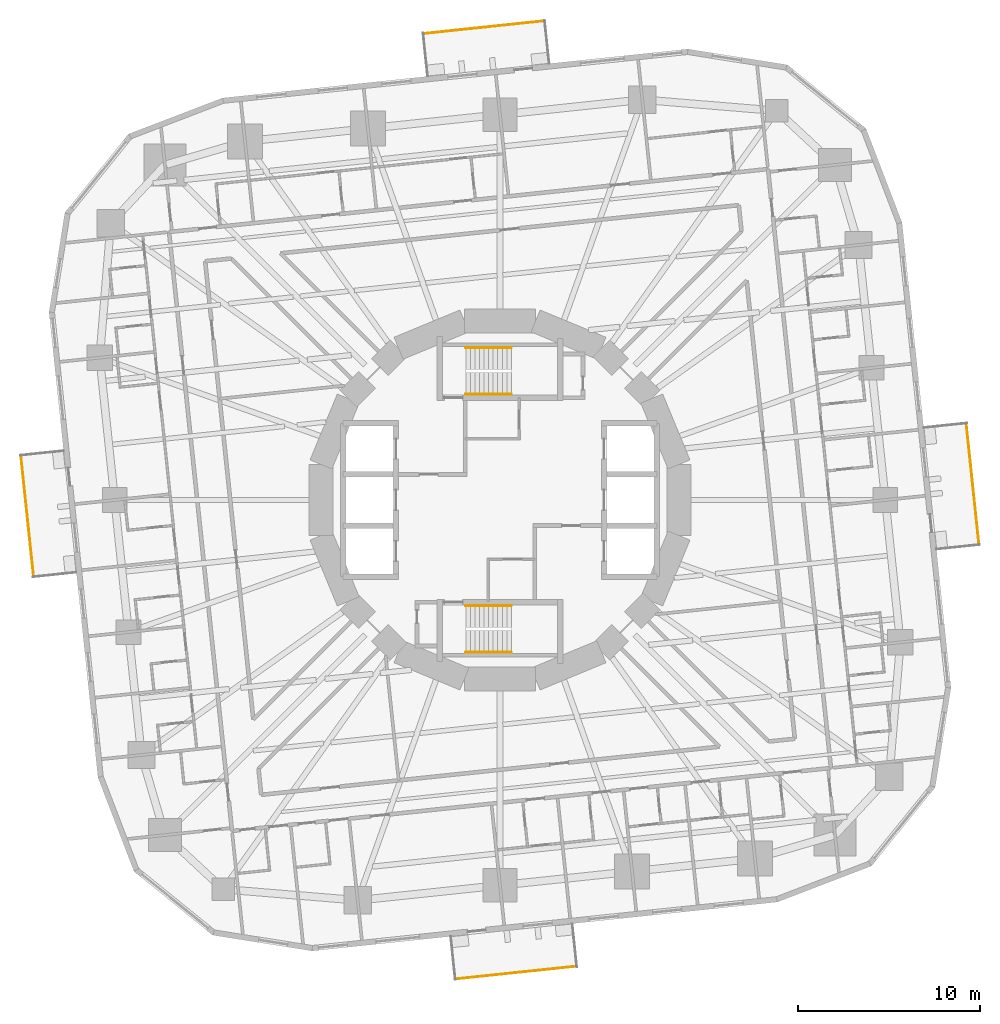
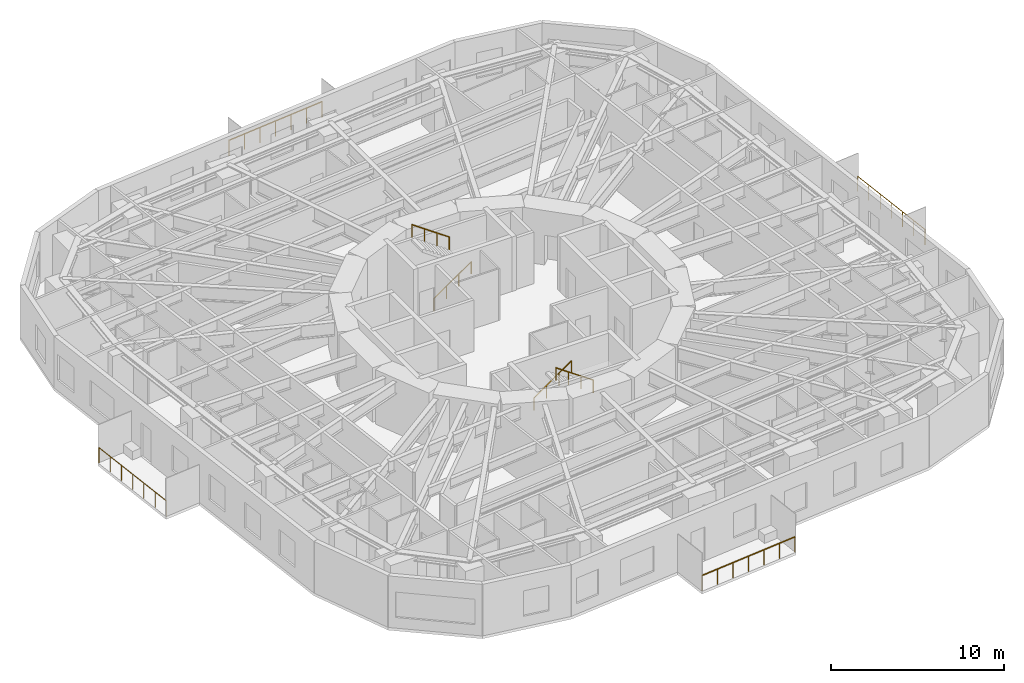
# One storey, part 12 of 13: 8 railings.
"""IFC4 building model written with IfcOpenShell, lengths in metres."""

from ifc_helpers import new_model, si_unit, direction, frame, origin, origin_2d, place, context, subcontext, project, spatial, circle, extrude, material, type_object, element, save


model = new_model("IFC4")

# Units and contexts
model_context = context("Model", 3, precision=1e-05, world=origin(), true_north=direction((0.0, 1.0)))
body_context = subcontext(model_context, "Body", "Model", "MODEL_VIEW")
ifc_project = project(units=[si_unit("LENGTHUNIT", "METRE"), si_unit("AREAUNIT", "SQUARE_METRE"), si_unit("VOLUMEUNIT", "CUBIC_METRE"), si_unit("PLANEANGLEUNIT", "RADIAN"), si_unit("MASSUNIT", "GRAM", prefix="KILO")], contexts=[model_context])

# Site, building, storey
site_placement = place(None, origin())
site = spatial("IfcSite", under=ifc_project, at=site_placement, CompositionType="ELEMENT")
building_placement = place(site_placement, origin())
building = spatial("IfcBuilding", under=site, at=building_placement, Name="Nakasero Lantern House", CompositionType="ELEMENT")
storey_placement = place(building_placement, frame((0.0, 0.0, 91.300048828125)))
storey = spatial("IfcBuildingStorey", under=building, at=storey_placement, Name="L22", CompositionType="ELEMENT", Elevation=91.300048828125)

# Railings
ifc_material_1 = material(Name="Aluminium 6063-T6", Category="aluminium")
railing_type_1 = type_object("IfcRailingType", Name="Balcony guard 1100", PredefinedType="BALUSTRADE", material=ifc_material_1)
railing_1_placement = place(storey_placement, frame((26.247802734375, -2.4296875, 0.0)))
element("IfcRailing", 1, at=railing_1_placement, inside=storey, type_object=railing_type_1, Name="Balcony guard L22 BAL0", PredefinedType="BALUSTRADE", context=body_context, shape_type="SweptSolid", body=[
    extrude(circle(Radius=0.02392578125, at=origin_2d()), frame((0.0, 0.0, 1.076171875), z_axis=(-0.104541525597, 0.994520522375, 0.0), x_axis=(-0.994520522375, -0.104541525597, 0.0)), (0.0, 0.0, 1.0), 6.6533203125),
    extrude(circle(Radius=0.02099609375, at=origin_2d()), origin(), (0.0, 0.0, 1.0), 1.052001953125),
    extrude(circle(Radius=0.02099609375, at=origin_2d()), frame((-0.115966796875, 1.102783203125, 0.0)), (0.0, 0.0, 1.0), 1.052001953125),
    extrude(circle(Radius=0.02099609375, at=origin_2d()), frame((-0.23193359375, 2.20556640625, 0.0)), (0.0, 0.0, 1.0), 1.052001953125),
    extrude(circle(Radius=0.02099609375, at=origin_2d()), frame((-0.34765625, 3.30859375, 0.0)), (0.0, 0.0, 1.0), 1.052001953125),
    extrude(circle(Radius=0.02099609375, at=origin_2d()), frame((-0.463623046875, 4.411376953125, 0.0)), (0.0, 0.0, 1.0), 1.052001953125),
    extrude(circle(Radius=0.02099609375, at=origin_2d()), frame((-0.57958984375, 5.51416015625, 0.0)), (0.0, 0.0, 1.0), 1.052001953125),
    extrude(circle(Radius=0.02099609375, at=origin_2d()), frame((-0.695556640625, 6.616943359375, 0.0)), (0.0, 0.0, 1.0), 1.052001953125),
])
railing_2_placement = place(storey_placement, frame((2.4296875, 26.247802734375, 0.0)))
element("IfcRailing", 2, at=railing_2_placement, inside=storey, type_object=railing_type_1, Name="Balcony guard L22 BAL1", PredefinedType="BALUSTRADE", context=body_context, shape_type="SweptSolid", body=[
    extrude(circle(Radius=0.02392578125, at=origin_2d()), frame((0.0, 0.0, 1.076171875), z_axis=(-0.994520522375, -0.104541525597, 0.0), x_axis=(0.104541525597, -0.994520522375, 0.0)), (0.0, 0.0, 1.0), 6.6533203125),
    extrude(circle(Radius=0.02099609375, at=origin_2d()), origin(), (0.0, 0.0, 1.0), 1.052001953125),
    extrude(circle(Radius=0.02099609375, at=origin_2d()), frame((-1.102783203125, -0.115966796875, 0.0)), (0.0, 0.0, 1.0), 1.052001953125),
    extrude(circle(Radius=0.02099609375, at=origin_2d()), frame((-2.20556640625, -0.23193359375, 0.0)), (0.0, 0.0, 1.0), 1.052001953125),
    extrude(circle(Radius=0.02099609375, at=origin_2d()), frame((-3.30859375, -0.34765625, 0.0)), (0.0, 0.0, 1.0), 1.052001953125),
    extrude(circle(Radius=0.02099609375, at=origin_2d()), frame((-4.411376953125, -0.463623046875, 0.0)), (0.0, 0.0, 1.0), 1.052001953125),
    extrude(circle(Radius=0.02099609375, at=origin_2d()), frame((-5.51416015625, -0.57958984375, 0.0)), (0.0, 0.0, 1.0), 1.052001953125),
    extrude(circle(Radius=0.02099609375, at=origin_2d()), frame((-6.616943359375, -0.695556640625, 0.0)), (0.0, 0.0, 1.0), 1.052001953125),
])
railing_3_placement = place(storey_placement, frame((-26.247802734375, 2.4296875, 0.0)))
element("IfcRailing", 3, at=railing_3_placement, inside=storey, type_object=railing_type_1, Name="Balcony guard L22 BAL2", PredefinedType="BALUSTRADE", context=body_context, shape_type="SweptSolid", body=[
    extrude(circle(Radius=0.02392578125, at=origin_2d()), frame((0.0, 0.0, 1.076171875), z_axis=(0.104541525597, -0.994520522375, 0.0), x_axis=(0.994520522375, 0.104541525597, 0.0)), (0.0, 0.0, 1.0), 6.6533203125),
    extrude(circle(Radius=0.02099609375, at=origin_2d()), origin(), (0.0, 0.0, 1.0), 1.052001953125),
    extrude(circle(Radius=0.02099609375, at=origin_2d()), frame((0.115966796875, -1.102783203125, 0.0)), (0.0, 0.0, 1.0), 1.052001953125),
    extrude(circle(Radius=0.02099609375, at=origin_2d()), frame((0.23193359375, -2.20556640625, 0.0)), (0.0, 0.0, 1.0), 1.052001953125),
    extrude(circle(Radius=0.02099609375, at=origin_2d()), frame((0.34765625, -3.30859375, 0.0)), (0.0, 0.0, 1.0), 1.052001953125),
    extrude(circle(Radius=0.02099609375, at=origin_2d()), frame((0.463623046875, -4.411376953125, 0.0)), (0.0, 0.0, 1.0), 1.052001953125),
    extrude(circle(Radius=0.02099609375, at=origin_2d()), frame((0.57958984375, -5.51416015625, 0.0)), (0.0, 0.0, 1.0), 1.052001953125),
    extrude(circle(Radius=0.02099609375, at=origin_2d()), frame((0.695556640625, -6.616943359375, 0.0)), (0.0, 0.0, 1.0), 1.052001953125),
])
railing_4_placement = place(storey_placement, frame((-2.4296875, -26.247802734375, 0.0)))
element("IfcRailing", 4, at=railing_4_placement, inside=storey, type_object=railing_type_1, Name="Balcony guard L22 BAL3", PredefinedType="BALUSTRADE", context=body_context, shape_type="SweptSolid", body=[
    extrude(circle(Radius=0.02392578125, at=origin_2d()), frame((0.0, 0.0, 1.076171875), z_axis=(0.994520522375, 0.104541525597, 0.0), x_axis=(-0.104541525597, 0.994520522375, 0.0)), (0.0, 0.0, 1.0), 6.6533203125),
    extrude(circle(Radius=0.02099609375, at=origin_2d()), origin(), (0.0, 0.0, 1.0), 1.052001953125),
    extrude(circle(Radius=0.02099609375, at=origin_2d()), frame((1.102783203125, 0.115966796875, 0.0)), (0.0, 0.0, 1.0), 1.052001953125),
    extrude(circle(Radius=0.02099609375, at=origin_2d()), frame((2.20556640625, 0.23193359375, 0.0)), (0.0, 0.0, 1.0), 1.052001953125),
    extrude(circle(Radius=0.02099609375, at=origin_2d()), frame((3.30859375, 0.34765625, 0.0)), (0.0, 0.0, 1.0), 1.052001953125),
    extrude(circle(Radius=0.02099609375, at=origin_2d()), frame((4.411376953125, 0.463623046875, 0.0)), (0.0, 0.0, 1.0), 1.052001953125),
    extrude(circle(Radius=0.02099609375, at=origin_2d()), frame((5.51416015625, 0.57958984375, 0.0)), (0.0, 0.0, 1.0), 1.052001953125),
    extrude(circle(Radius=0.02099609375, at=origin_2d()), frame((6.616943359375, 0.695556640625, 0.0)), (0.0, 0.0, 1.0), 1.052001953125),
])
ifc_material_2 = material(Name="Stainless steel 316", Category="steel")
railing_type_2 = type_object("IfcRailingType", Name="Stair handrail 900", PredefinedType="HANDRAIL", material=ifc_material_2)
railing_5_placement = place(storey_placement, frame((-1.875, 5.800048828125, 0.175048828125)))
element("IfcRailing", 5, at=railing_5_placement, inside=storey, type_object=railing_type_2, Name="Handrail ST1 L22 flight 1", PredefinedType="HANDRAIL", context=body_context, shape_type="SweptSolid", body=[
    extrude(circle(Radius=0.02392578125, at=origin_2d()), frame((0.0, 0.0, 0.8759765625), z_axis=(0.819231920519, 0.0, 0.573462344363), x_axis=(0.0, 1.0, 0.0)), (0.0, 0.0, 1.0), 3.0517578125),
    extrude(circle(Radius=0.02099609375, at=origin_2d()), origin(), (0.0, 0.0, 1.0), 0.851806640625),
    extrude(circle(Radius=0.02099609375, at=origin_2d()), frame((0.833251953125, 0.0, 0.583251953125)), (0.0, 0.0, 1.0), 0.851806640625),
    extrude(circle(Radius=0.02099609375, at=origin_2d()), frame((1.666748046875, 0.0, 1.166748046875)), (0.0, 0.0, 1.0), 0.851806640625),
    extrude(circle(Radius=0.02099609375, at=origin_2d()), frame((2.5, 0.0, 1.75)), (0.0, 0.0, 1.0), 0.851806640625),
])
railing_6_placement = place(storey_placement, frame((0.625, 8.35009765625, 2.099853515625)))
element("IfcRailing", 6, at=railing_6_placement, inside=storey, type_object=railing_type_2, Name="Handrail ST1 L22 flight 2", PredefinedType="HANDRAIL", context=body_context, shape_type="SweptSolid", body=[
    extrude(circle(Radius=0.02392578125, at=origin_2d()), frame((0.0, 0.0, 0.8759765625), z_axis=(-0.819231920519, 0.0, 0.573462344363), x_axis=(0.0, -1.0, 0.0)), (0.0, 0.0, 1.0), 3.0517578125),
    extrude(circle(Radius=0.02099609375, at=origin_2d()), origin(), (0.0, 0.0, 1.0), 0.851806640625),
    extrude(circle(Radius=0.02099609375, at=origin_2d()), frame((-0.833251953125, 0.0, 0.583251953125)), (0.0, 0.0, 1.0), 0.851806640625),
    extrude(circle(Radius=0.02099609375, at=origin_2d()), frame((-1.666748046875, 0.0, 1.166748046875)), (0.0, 0.0, 1.0), 0.851806640625),
    extrude(circle(Radius=0.02099609375, at=origin_2d()), frame((-2.5, 0.0, 1.75)), (0.0, 0.0, 1.0), 0.851806640625),
])
railing_7_placement = place(storey_placement, frame((-1.875, -5.800048828125, 0.175048828125)))
element("IfcRailing", 7, at=railing_7_placement, inside=storey, type_object=railing_type_2, Name="Handrail ST2 L22 flight 1", PredefinedType="HANDRAIL", context=body_context, shape_type="SweptSolid", body=[
    extrude(circle(Radius=0.02392578125, at=origin_2d()), frame((0.0, 0.0, 0.8759765625), z_axis=(0.819231920519, 0.0, 0.573462344363), x_axis=(0.0, 1.0, 0.0)), (0.0, 0.0, 1.0), 3.0517578125),
    extrude(circle(Radius=0.02099609375, at=origin_2d()), origin(), (0.0, 0.0, 1.0), 0.851806640625),
    extrude(circle(Radius=0.02099609375, at=origin_2d()), frame((0.833251953125, 0.0, 0.583251953125)), (0.0, 0.0, 1.0), 0.851806640625),
    extrude(circle(Radius=0.02099609375, at=origin_2d()), frame((1.666748046875, 0.0, 1.166748046875)), (0.0, 0.0, 1.0), 0.851806640625),
    extrude(circle(Radius=0.02099609375, at=origin_2d()), frame((2.5, 0.0, 1.75)), (0.0, 0.0, 1.0), 0.851806640625),
])
railing_8_placement = place(storey_placement, frame((0.625, -8.35009765625, 2.099853515625)))
element("IfcRailing", 8, at=railing_8_placement, inside=storey, type_object=railing_type_2, Name="Handrail ST2 L22 flight 2", PredefinedType="HANDRAIL", context=body_context, shape_type="SweptSolid", body=[
    extrude(circle(Radius=0.02392578125, at=origin_2d()), frame((0.0, 0.0, 0.8759765625), z_axis=(-0.819231920519, 0.0, 0.573462344363), x_axis=(0.0, -1.0, 0.0)), (0.0, 0.0, 1.0), 3.0517578125),
    extrude(circle(Radius=0.02099609375, at=origin_2d()), origin(), (0.0, 0.0, 1.0), 0.851806640625),
    extrude(circle(Radius=0.02099609375, at=origin_2d()), frame((-0.833251953125, 0.0, 0.583251953125)), (0.0, 0.0, 1.0), 0.851806640625),
    extrude(circle(Radius=0.02099609375, at=origin_2d()), frame((-1.666748046875, 0.0, 1.166748046875)), (0.0, 0.0, 1.0), 0.851806640625),
    extrude(circle(Radius=0.02099609375, at=origin_2d()), frame((-2.5, 0.0, 1.75)), (0.0, 0.0, 1.0), 0.851806640625),
])

save(model, "model.ifc")
